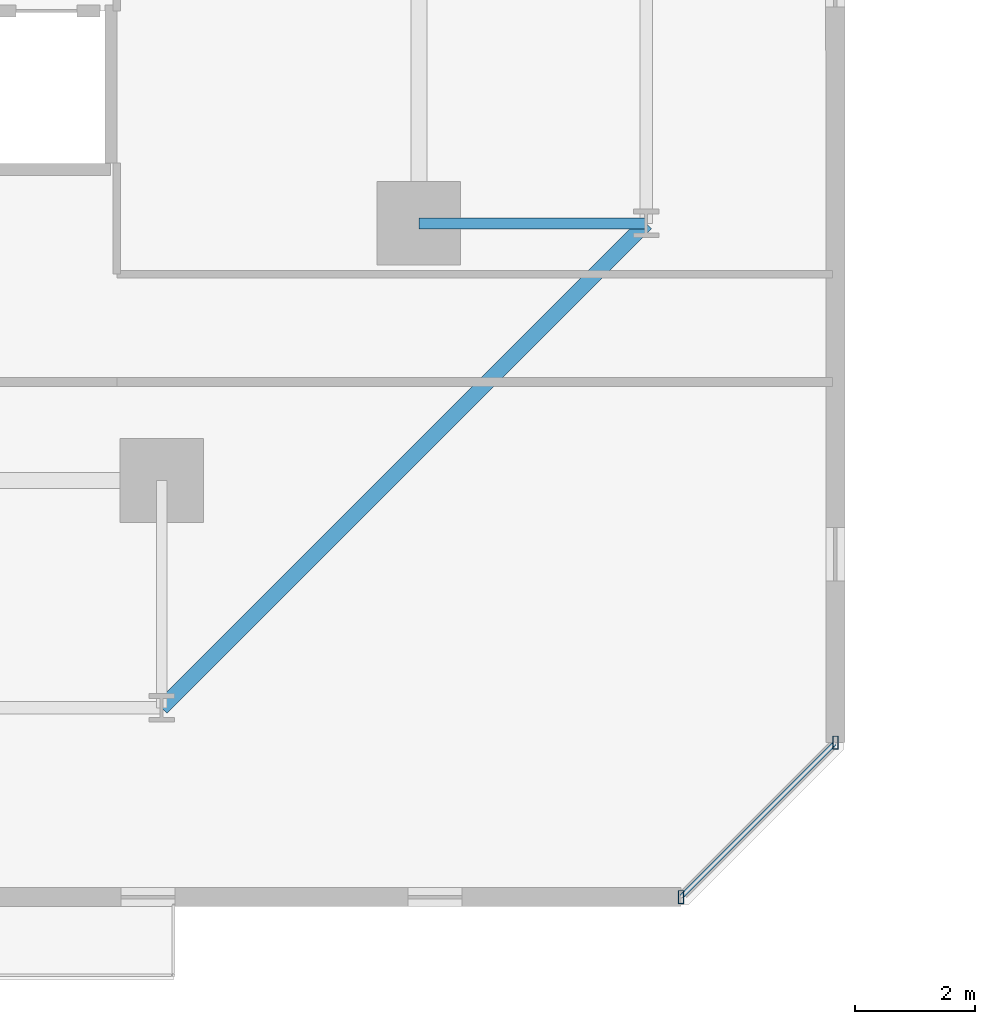
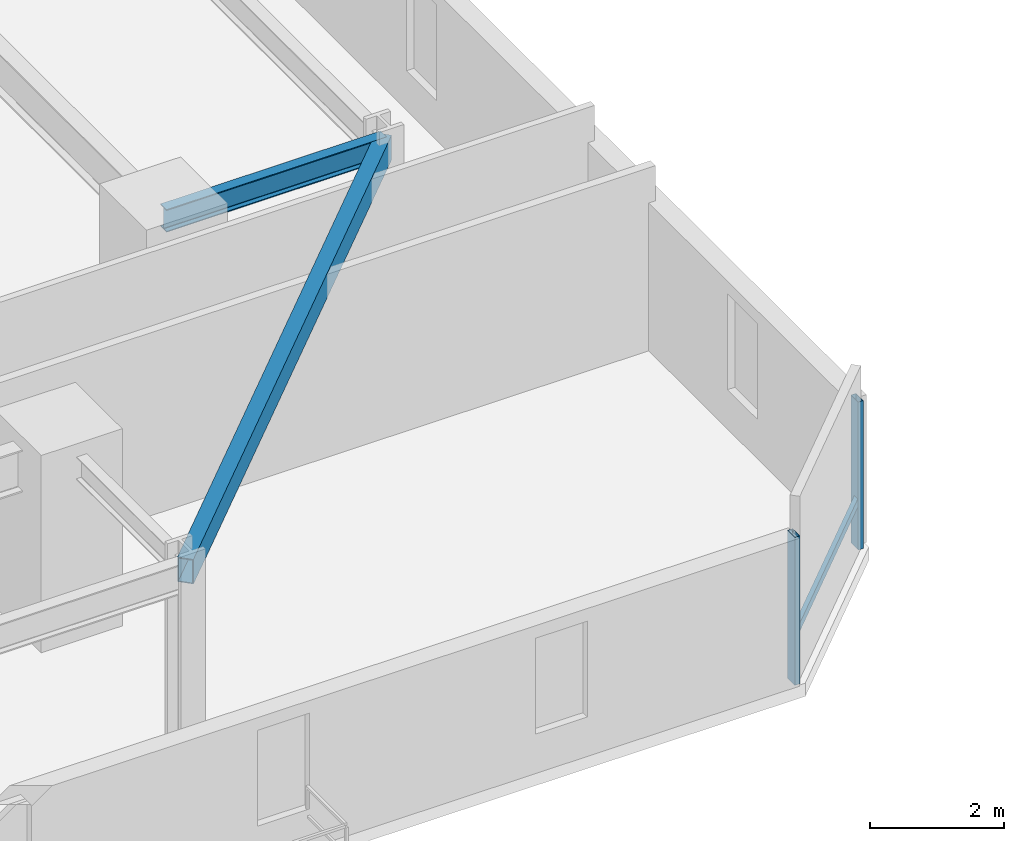
# One storey, part 5 of 34: 3 members, 2 beams, 1 element without a shape of its own.
"""IFC4 building model written with IfcOpenShell, lengths in metres."""

import ifcopenshell
import ifcopenshell.guid

model = None  # the IFC model being written
_history = None  # IfcOwnerHistory: only IFC2X3 demands one
_inside = {}  # id of a spatial element -> (the spatial element, [elements in it])
_under = {}  # id of a project, library or spatial element -> (it, [spatial elements below it])
_declared = {}  # id of a project -> (the project, [libraries it declares])
_typed = {}  # id of a type object -> (the type object, [elements of that type])
_made_of = {}  # id of a material, layer set ... -> (it, [elements and type objects made of it])


def new_model(schema):
    """Start an empty IFC model of exactly this schema.

    Asked for "IFC4X3", IfcOpenShell would pick the latest addendum, in which some entities
    have other attributes; the version numbers below select the first issue.
    IFC2X3 requires an IfcOwnerHistory on every rooted entity: one is made here for all.
    """
    global model, _history
    if schema == "IFC4X3":
        model = ifcopenshell.file(schema_version=(4, 3, 0, 0))
    else:
        model = ifcopenshell.file(schema=schema)
    _inside.clear()
    _under.clear()
    _declared.clear()
    _typed.clear()
    _made_of.clear()
    _history = None
    if model.schema == "IFC2X3":
        org = make("IfcOrganization", Name="unknown")
        user = make(
            "IfcPersonAndOrganization",
            ThePerson=make("IfcPerson", FamilyName="unknown"),
            TheOrganization=org,
        )
        app = make(
            "IfcApplication",
            ApplicationDeveloper=org,
            Version="unknown",
            ApplicationFullName="unknown",
            ApplicationIdentifier="unknown",
        )
        _history = make(
            "IfcOwnerHistory",
            OwningUser=user,
            OwningApplication=app,
            ChangeAction="ADDED",
            CreationDate=0,
        )
    return model


def make(cls, **values):
    """One entity of the class cls with the attributes given. An attribute that is None is left unset."""
    return model.create_entity(
        cls, **{name: value for name, value in values.items() if value is not None}
    )


def rooted(cls, **values):
    """An entity with a GlobalId (a new one), such as an element, a storey or a relation."""
    return make(cls, GlobalId=ifcopenshell.guid.new(), OwnerHistory=_history, **values)


def si_unit(unit_type, name, prefix=None):
    """IfcSIUnit, for example si_unit("LENGTHUNIT", "METRE", prefix="MILLI")."""
    return make("IfcSIUnit", UnitType=unit_type, Prefix=prefix, Name=name)


def assignment(units):
    """IfcUnitAssignment: the units of a project."""
    return None if units is None else make("IfcUnitAssignment", Units=units)


def point(xyz):
    """IfcCartesianPoint."""
    return None if xyz is None else make("IfcCartesianPoint", Coordinates=xyz)


def direction(xyz):
    """IfcDirection."""
    return None if xyz is None else make("IfcDirection", DirectionRatios=xyz)


def frame(location, z_axis=None, x_axis=None):
    """IfcAxis2Placement3D, a coordinate frame: its origin and axes. An axis left out is left unset."""
    return make(
        "IfcAxis2Placement3D",
        Location=point(location),
        Axis=direction(z_axis),
        RefDirection=direction(x_axis),
    )


def frame_2d(location, x_axis=None):
    """IfcAxis2Placement2D, a coordinate frame in the plane: its origin and x axis."""
    return make(
        "IfcAxis2Placement2D", Location=point(location), RefDirection=direction(x_axis)
    )


def origin():
    """The frame at (0, 0, 0) with its axes left unset."""
    return frame((0.0, 0.0, 0.0))


def origin_2d():
    """The frame at (0, 0) in the plane with its x axis left unset."""
    return frame_2d((0.0, 0.0))


def place(relative_to, where):
    """IfcLocalPlacement: puts the frame where relative to a parent placement (None: the world)."""
    return make(
        "IfcLocalPlacement", PlacementRelTo=relative_to, RelativePlacement=where
    )


def context(
    kind, dimensions, precision=None, world=None, true_north=None, identifier=None
):
    """IfcGeometricRepresentationContext, for example the 3D "Model" context."""
    return make(
        "IfcGeometricRepresentationContext",
        ContextIdentifier=identifier,
        ContextType=kind,
        CoordinateSpaceDimension=dimensions,
        Precision=precision,
        WorldCoordinateSystem=world,
        TrueNorth=true_north,
    )


def subcontext(parent, identifier, kind, view, scale=None):
    """IfcGeometricRepresentationSubContext, for example "Body" below "Model"."""
    return make(
        "IfcGeometricRepresentationSubContext",
        ContextIdentifier=identifier,
        ContextType=kind,
        ParentContext=parent,
        TargetScale=scale,
        TargetView=view,
    )


def project(units=None, contexts=None):
    """IfcProject with its units and contexts."""
    return rooted(
        "IfcProject",
        Name="project",
        RepresentationContexts=contexts,
        UnitsInContext=assignment(units),
    )


def spatial(cls, under=None, at=None, **own):
    """A site, building, storey or space (cls), placed at a placement, below another one or the project."""
    s = rooted(cls, ObjectPlacement=at, **own)
    if under is not None:
        _under.setdefault(under.id(), (under, []))[1].append(s)
    return s


def profile(cls, at=None, kind="AREA", **sizes):
    """A parametric profile (cls). Its sizes go by their IFC names, for example OverallWidth=200.0."""
    return make(cls, ProfileType=kind, Position=at, **sizes)


def hollow_rectangle(**sizes):
    """IfcRectangleHollowProfileDef."""
    return profile("IfcRectangleHollowProfileDef", **sizes)


def i_section(**sizes):
    """IfcIShapeProfileDef."""
    return profile("IfcIShapeProfileDef", **sizes)


def extrude(swept, where, along, depth):
    """IfcExtrudedAreaSolid: the profile swept, set in the frame where, extruded along a direction by depth."""
    return make(
        "IfcExtrudedAreaSolid",
        SweptArea=swept,
        Position=where,
        ExtrudedDirection=direction(along),
        Depth=depth,
    )


def shape(context_of_items, identifier, shape_type, items):
    """IfcShapeRepresentation: the items that make up one representation, for example the "Body"."""
    return make(
        "IfcShapeRepresentation",
        ContextOfItems=context_of_items,
        RepresentationIdentifier=identifier,
        RepresentationType=shape_type,
        Items=items,
    )


def material(Name=None, Category=None):
    """IfcMaterial."""
    return make("IfcMaterial", Name=Name, Category=Category)


def material_profile(
    of_material, cross_section, Name=None, Category=None, Priority=None
):
    """IfcMaterialProfile: a cross section and its material."""
    return make(
        "IfcMaterialProfile",
        Name=Name,
        Material=of_material,
        Profile=cross_section,
        Priority=Priority,
        Category=Category,
    )


def profile_set(profiles, Name=None, composite=None):
    """IfcMaterialProfileSet."""
    return make(
        "IfcMaterialProfileSet",
        Name=Name,
        MaterialProfiles=profiles,
        CompositeProfile=composite,
    )


def made_of(thing, what):
    """Note that an element or type object is made of a material, layer set ...; save() writes the relation."""
    if what is not None:
        _made_of.setdefault(what.id(), (what, []))[1].append(thing)
    return thing


def type_object(cls, material=None, **own):
    """A type object (cls), such as IfcWallType, which elements share."""
    return made_of(rooted(cls, **own), material)


def element(
    cls,
    number,
    at=None,
    inside=None,
    cuts=None,
    type_object=None,
    material=None,
    context=None,
    identifier="Body",
    shape_type=None,
    held_by="IfcProductDefinitionShape",
    body=None,
    shapes=None,
    **own,
):
    """One element of the class cls, such as IfcWall. Its Tag is "e" and its number.

    at: its placement. inside: the storey or other place that contains it. cuts: it is an
    opening in that element (IfcRelVoidsElement). A single representation is given by context,
    identifier, shape_type and body (its items); several are given by shapes. held_by: the class
    of the entity that holds the representations. save() writes the other relations.
    """
    e = rooted(cls, Tag="e%d" % number, ObjectPlacement=at, **own)
    if body is not None:
        shapes = [shape(context, identifier, shape_type, body)]
    if shapes is not None:
        e.Representation = make(held_by, Representations=shapes)
    if inside is not None:
        _inside.setdefault(inside.id(), (inside, []))[1].append(e)
    if cuts is not None:
        rooted(
            "IfcRelVoidsElement", RelatingBuildingElement=cuts, RelatedOpeningElement=e
        )
    if type_object is not None:
        _typed.setdefault(type_object.id(), (type_object, []))[1].append(e)
    return made_of(e, material)


def aggregate(whole, parts):
    """IfcRelAggregates: a whole, such as a stair, and the parts it consists of."""
    return rooted("IfcRelAggregates", RelatingObject=whole, RelatedObjects=parts)


def save(model, path):
    """Write the relations noted so far, then the file.

    IfcRelAggregates (storeys below a building ...), IfcRelContainedInSpatialStructure (elements
    in a storey), IfcRelDefinesByType, IfcRelAssociatesMaterial and IfcRelDeclares: one each for
    every whole, place, type object, material and project.
    """
    for whole, parts in _under.values():
        aggregate(whole, parts)
    for where, things in _inside.values():
        rooted(
            "IfcRelContainedInSpatialStructure",
            RelatedElements=things,
            RelatingStructure=where,
        )
    for kind, things in _typed.values():
        rooted("IfcRelDefinesByType", RelatedObjects=things, RelatingType=kind)
    for what, things in _made_of.values():
        rooted("IfcRelAssociatesMaterial", RelatedObjects=things, RelatingMaterial=what)
    for by, libraries in _declared.values():
        rooted("IfcRelDeclares", RelatingContext=by, RelatedDefinitions=libraries)
    model.write(path)


model = new_model("IFC4")

# Units and contexts
model_context = context("Model", 3, precision=1e-05, world=origin(), true_north=direction((0.0, 1.0)))
body_context = subcontext(model_context, "Body", "Model", "MODEL_VIEW")
ifc_project = project(units=[si_unit("LENGTHUNIT", "METRE"), si_unit("AREAUNIT", "SQUARE_METRE"), si_unit("VOLUMEUNIT", "CUBIC_METRE"), si_unit("PLANEANGLEUNIT", "RADIAN"), si_unit("MASSUNIT", "GRAM", prefix="KILO")], contexts=[model_context])

# Site, building, storey
site_placement = place(None, origin())
site = spatial("IfcSite", under=ifc_project, at=site_placement, CompositionType="ELEMENT")
building_placement = place(site_placement, origin())
building = spatial("IfcBuilding", under=site, at=building_placement, Name="Thornwick Lancets Civic Towers", CompositionType="ELEMENT")
storey_placement = place(building_placement, frame((0.0, 0.0, 53.699951171875)))
storey = spatial("IfcBuildingStorey", under=building, at=storey_placement, Name="L13", CompositionType="ELEMENT", Elevation=53.699951171875)

# Beams
ifc_material_1 = material(Name="Steel S355JR", Category="steel")
ifc_material_profile_1 = material_profile(ifc_material_1, i_section(OverallWidth=0.179443359375, OverallDepth=0.412841796875, WebThickness=0.009521484375, FlangeThickness=0.01611328125, FilletRadius=0.01025390625, at=origin_2d()), Name="UKB 406x178x74")
ifc_profile_set_1 = profile_set([ifc_material_profile_1], Name="Steel S355JR")
beam_type_1 = type_object("IfcBeamType", Name="BM_JOIST_406_74", PredefinedType="JOIST", material=ifc_profile_set_1)
beam_1_placement = place(storey_placement, frame((42.800048828125, 14.0, 3.153564453125), z_axis=(1.0, 0.0, 0.0), x_axis=(0.0, 1.0, 0.0)))
element("IfcBeam", 1, at=beam_1_placement, inside=storey, type_object=beam_type_1, Name="BM-RAD-L13-A04", PredefinedType="JOIST", context=body_context, shape_type="SweptSolid", body=[
    extrude(i_section(OverallWidth=0.179443359375, OverallDepth=0.412841796875, WebThickness=0.009521484375, FlangeThickness=0.01611328125, FilletRadius=0.01025390625, at=origin_2d()), origin(), (0.0, 0.0, 1.0), 3.800048828125),
])
ifc_material_profile_2 = material_profile(ifc_material_1, hollow_rectangle(XDim=0.25, YDim=0.449951171875, WallThickness=0.01611328125, at=origin_2d()), Name="RHS 450x250x16")
ifc_profile_set_2 = profile_set([ifc_material_profile_2], Name="Steel S355JR")
beam_type_2 = type_object("IfcBeamType", Name="BM_RING_RHS450", PredefinedType="BEAM", material=ifc_profile_set_2)
beam_2_placement = place(storey_placement, frame((38.5, 5.89990234375, 3.135009765625), z_axis=(0.707106781187, 0.707106781187, 0.0), x_axis=(-0.707106781187, 0.707106781187, 0.0)))
element("IfcBeam", 2, at=beam_2_placement, inside=storey, type_object=beam_type_2, Name="BM-CHAMF-L13-A-C0", PredefinedType="BEAM", context=body_context, shape_type="SweptSolid", body=[
    extrude(hollow_rectangle(XDim=0.25, YDim=0.449951171875, WallThickness=0.01611328125, at=origin_2d()), origin(), (0.0, 0.0, 1.0), 11.455322265625),
])

# Curtain wall, members
ifc_material_2 = material(Name="Low-zone chamfered-corner unitised glass curtain wall", Category="glass")
curtain_wall_type = type_object("IfcCurtainWallType", Name="CW_SYS_03", PredefinedType="NOTDEFINED", material=ifc_material_2)
curtain_wall_placement = place(storey_placement, origin())
curtain_wall = element("IfcCurtainWall", 3, at=curtain_wall_placement, inside=storey, type_object=curtain_wall_type, Name="L13 Curtain Wall CW-L13-A-E1", PredefinedType="NOTDEFINED")
ifc_material_3 = material(Name="Thermally broken bronze aluminium S355", Category="steel")
ifc_material_profile_3 = material_profile(ifc_material_3, hollow_rectangle(XDim=0.090087890625, YDim=0.219970703125, WallThickness=0.00634765625, at=origin_2d()), Name="RHS 220x90x6.3")
ifc_profile_set_3 = profile_set([ifc_material_profile_3], Name="Thermally broken bronze aluminium S355")
member_type_1 = type_object("IfcMemberType", Name="CW_MUL_220", PredefinedType="MULLION", material=ifc_profile_set_3)
member_1_placement = place(storey_placement, frame((47.18115234375, 2.735107421875, 0.0), z_axis=(0.0, 0.0, 1.0), x_axis=(1.0, 0.0, 0.0)))
member_1 = element("IfcMember", 4, at=member_1_placement, type_object=member_type_1, Name="CW-L13-A-E1 Mullion 0", PredefinedType="MULLION", context=body_context, shape_type="SweptSolid", body=[
    extrude(hollow_rectangle(XDim=0.090087890625, YDim=0.219970703125, WallThickness=0.00634765625, at=origin_2d()), origin(), (0.0, 0.0, 1.0), 2.699951171875),
])
member_2_placement = place(storey_placement, frame((49.764892578125, 5.31884765625, 0.0), z_axis=(0.0, 0.0, 1.0), x_axis=(1.0, 0.0, 0.0)))
member_2 = element("IfcMember", 5, at=member_2_placement, type_object=member_type_1, Name="CW-L13-A-E1 Mullion 1", PredefinedType="MULLION", context=body_context, shape_type="SweptSolid", body=[
    extrude(hollow_rectangle(XDim=0.090087890625, YDim=0.219970703125, WallThickness=0.00634765625, at=origin_2d()), origin(), (0.0, 0.0, 1.0), 2.699951171875),
])
ifc_material_profile_4 = material_profile(ifc_material_3, hollow_rectangle(XDim=0.074951171875, YDim=0.14990234375, WallThickness=0.0048828125, at=origin_2d()), Name="RHS 150x75x5")
ifc_profile_set_4 = profile_set([ifc_material_profile_4], Name="Thermally broken bronze aluminium S355")
member_type_2 = type_object("IfcMemberType", Name="CW_TRN_150", PredefinedType="USERDEFINED", material=ifc_profile_set_4)
member_3_placement = place(storey_placement, frame((47.1953125, 2.749267578125, 0.85009765625), z_axis=(0.707106781187, 0.707106781187, 0.0), x_axis=(-0.707106781187, 0.707106781187, 0.0)))
member_3 = element("IfcMember", 6, at=member_3_placement, type_object=member_type_2, Name="CW-L13-A-E1 Transom 0", ObjectType="TRANSOM", PredefinedType="USERDEFINED", context=body_context, shape_type="SweptSolid", body=[
    extrude(hollow_rectangle(XDim=0.074951171875, YDim=0.14990234375, WallThickness=0.0048828125, at=origin_2d()), origin(), (0.0, 0.0, 1.0), 3.614013671875),
])
aggregate(curtain_wall, [member_1, member_2, member_3])

save(model, "model.ifc")
